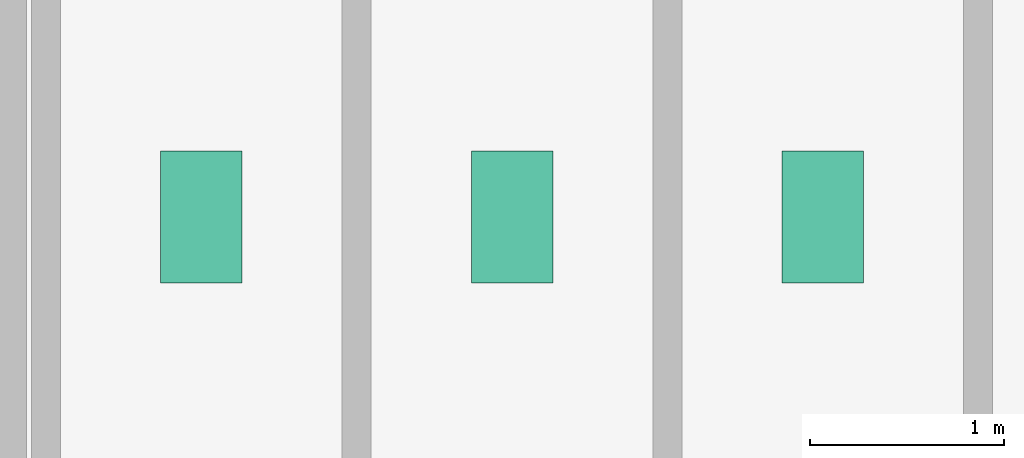
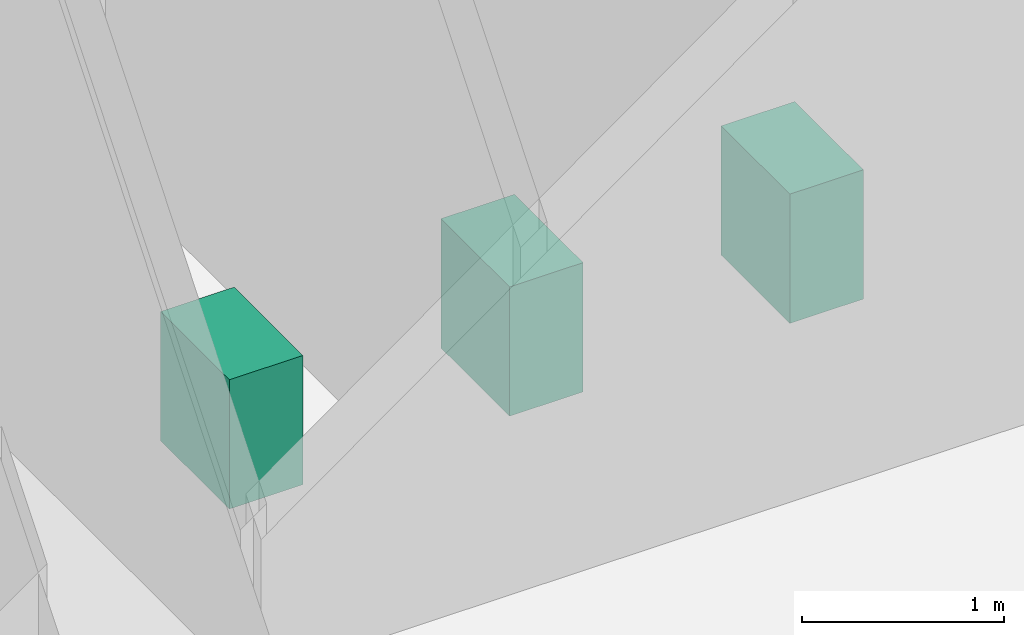
# One storey, part 22 of 22: 3 sanitary terminals.
"""IFC4 building model written with IfcOpenShell, lengths in metres."""

from ifc_helpers import new_model, si_unit, derived_unit, direction, frame, origin, origin_2d, place, context, subcontext, project, spatial, rectangle, extrude, source, transform, mapped, material, type_object, element, save


model = new_model("IFC4")

# Units and contexts
model_context = context("Model", 3, precision=1e-05, world=origin(), true_north=direction((0.0, 1.0)))
body_context = subcontext(model_context, "Body", "Model", "MODEL_VIEW")
ifc_project = project(units=[si_unit("LENGTHUNIT", "METRE"), si_unit("AREAUNIT", "SQUARE_METRE"), si_unit("VOLUMEUNIT", "CUBIC_METRE"), si_unit("PLANEANGLEUNIT", "RADIAN"), si_unit("MASSUNIT", "GRAM", prefix="KILO"), derived_unit("THERMALTRANSMITTANCEUNIT", [(si_unit("POWERUNIT", "WATT"), 1), (si_unit("LENGTHUNIT", "METRE"), -2), (si_unit("THERMODYNAMICTEMPERATUREUNIT", "KELVIN"), -1)])], contexts=[model_context])

# Site, building, storey
site_placement = place(None, origin())
site = spatial("IfcSite", under=ifc_project, at=site_placement, CompositionType="ELEMENT")
building_placement = place(site_placement, origin())
building = spatial("IfcBuilding", under=site, at=building_placement, Name="Skarnbrae Concourse Arena and Tower", CompositionType="ELEMENT")
storey_placement = place(building_placement, frame((0.0, 0.0, 72.64990234375)))
storey = spatial("IfcBuildingStorey", under=building, at=storey_placement, Name="L17", CompositionType="ELEMENT", Elevation=72.64990234375)

# Sanitary terminals
ifc_material = material(Name="Vitreous china sanitaryware", Category="other")
sanitary_terminal_type = type_object("IfcSanitaryTerminalType", Name="SAN-WC-VITREOUS", PredefinedType="TOILETPAN", material=ifc_material)
shared_shape = source(origin(), body_context, "Body", "SweptSolid", [
    extrude(rectangle(XDim=0.419921875, YDim=0.679931640625, at=origin_2d()), origin(), (0.0, 0.0, 1.0), 0.780029296875),
])
for number, where, z_axis, x_axis, name in (
    (1, (35.0, 11.39990234375, 0.0), (0.0, 0.0, 1.0), (1.0, 0.0, 0.0), "L17 Washroom WC fixture 1"),
    (2, (36.60009765625, 11.39990234375, 0.0), (0.0, 0.0, 1.0), (1.0, 0.0, 0.0), "L17 Washroom WC fixture 2"),
    (3, (38.199951171875, 11.39990234375, 0.0), (0.0, 0.0, 1.0), (1.0, 0.0, 0.0), "L17 Washroom WC fixture 3"),
):
    element("IfcSanitaryTerminal", number, at=place(storey_placement, frame(where, z_axis=z_axis, x_axis=x_axis)), inside=storey, type_object=sanitary_terminal_type, Name=name, PredefinedType="TOILETPAN", context=body_context, shape_type="MappedRepresentation", body=[
        mapped(shared_shape, transform((0.0, 0.0, 0.0))),
    ])

save(model, "model.ifc")
